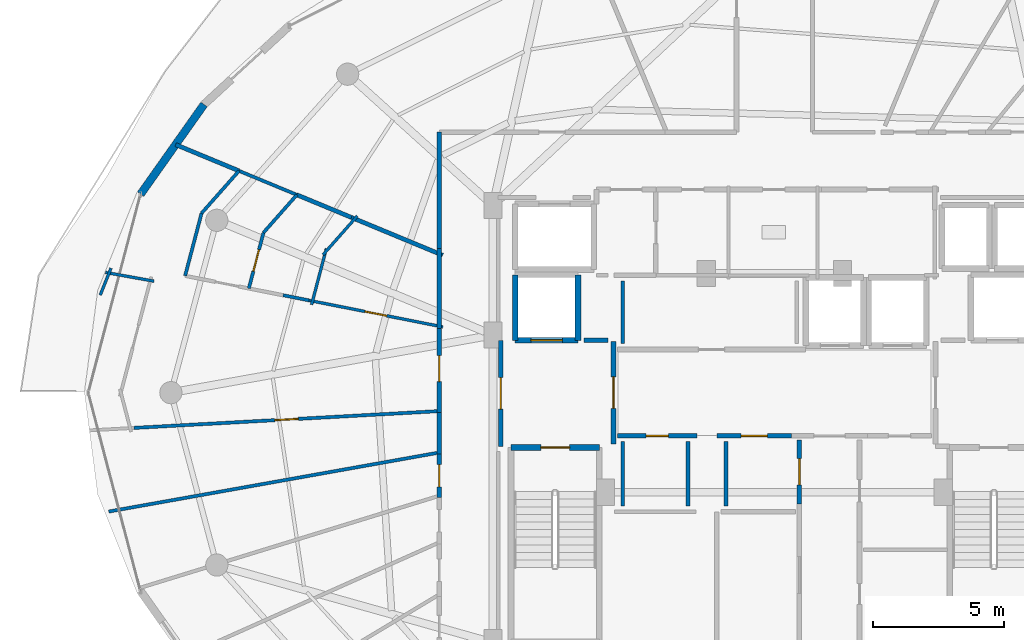
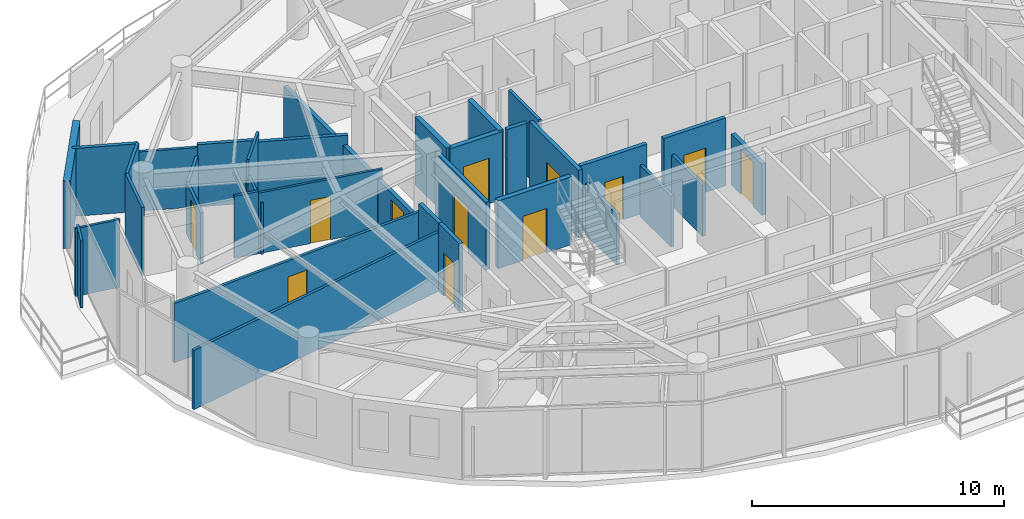
# One storey, part 21 of 29: 36 walls, 12 doors, 12 openings.
"""IFC4 building model written with IfcOpenShell, lengths in metres."""

import ifcopenshell
import ifcopenshell.guid

model = None  # the IFC model being written
_history = None  # IfcOwnerHistory: only IFC2X3 demands one
_inside = {}  # id of a spatial element -> (the spatial element, [elements in it])
_under = {}  # id of a project, library or spatial element -> (it, [spatial elements below it])
_declared = {}  # id of a project -> (the project, [libraries it declares])
_typed = {}  # id of a type object -> (the type object, [elements of that type])
_made_of = {}  # id of a material, layer set ... -> (it, [elements and type objects made of it])


def new_model(schema):
    """Start an empty IFC model of exactly this schema.

    Asked for "IFC4X3", IfcOpenShell would pick the latest addendum, in which some entities
    have other attributes; the version numbers below select the first issue.
    IFC2X3 requires an IfcOwnerHistory on every rooted entity: one is made here for all.
    """
    global model, _history
    if schema == "IFC4X3":
        model = ifcopenshell.file(schema_version=(4, 3, 0, 0))
    else:
        model = ifcopenshell.file(schema=schema)
    _inside.clear()
    _under.clear()
    _declared.clear()
    _typed.clear()
    _made_of.clear()
    _history = None
    if model.schema == "IFC2X3":
        org = make("IfcOrganization", Name="unknown")
        user = make(
            "IfcPersonAndOrganization",
            ThePerson=make("IfcPerson", FamilyName="unknown"),
            TheOrganization=org,
        )
        app = make(
            "IfcApplication",
            ApplicationDeveloper=org,
            Version="unknown",
            ApplicationFullName="unknown",
            ApplicationIdentifier="unknown",
        )
        _history = make(
            "IfcOwnerHistory",
            OwningUser=user,
            OwningApplication=app,
            ChangeAction="ADDED",
            CreationDate=0,
        )
    return model


def make(cls, **values):
    """One entity of the class cls with the attributes given. An attribute that is None is left unset."""
    return model.create_entity(
        cls, **{name: value for name, value in values.items() if value is not None}
    )


def rooted(cls, **values):
    """An entity with a GlobalId (a new one), such as an element, a storey or a relation."""
    return make(cls, GlobalId=ifcopenshell.guid.new(), OwnerHistory=_history, **values)


def si_unit(unit_type, name, prefix=None):
    """IfcSIUnit, for example si_unit("LENGTHUNIT", "METRE", prefix="MILLI")."""
    return make("IfcSIUnit", UnitType=unit_type, Prefix=prefix, Name=name)


def assignment(units):
    """IfcUnitAssignment: the units of a project."""
    return None if units is None else make("IfcUnitAssignment", Units=units)


def point(xyz):
    """IfcCartesianPoint."""
    return None if xyz is None else make("IfcCartesianPoint", Coordinates=xyz)


def direction(xyz):
    """IfcDirection."""
    return None if xyz is None else make("IfcDirection", DirectionRatios=xyz)


def frame(location, z_axis=None, x_axis=None):
    """IfcAxis2Placement3D, a coordinate frame: its origin and axes. An axis left out is left unset."""
    return make(
        "IfcAxis2Placement3D",
        Location=point(location),
        Axis=direction(z_axis),
        RefDirection=direction(x_axis),
    )


def frame_2d(location, x_axis=None):
    """IfcAxis2Placement2D, a coordinate frame in the plane: its origin and x axis."""
    return make(
        "IfcAxis2Placement2D", Location=point(location), RefDirection=direction(x_axis)
    )


def origin():
    """The frame at (0, 0, 0) with its axes left unset."""
    return frame((0.0, 0.0, 0.0))


def place(relative_to, where):
    """IfcLocalPlacement: puts the frame where relative to a parent placement (None: the world)."""
    return make(
        "IfcLocalPlacement", PlacementRelTo=relative_to, RelativePlacement=where
    )


def context(
    kind, dimensions, precision=None, world=None, true_north=None, identifier=None
):
    """IfcGeometricRepresentationContext, for example the 3D "Model" context."""
    return make(
        "IfcGeometricRepresentationContext",
        ContextIdentifier=identifier,
        ContextType=kind,
        CoordinateSpaceDimension=dimensions,
        Precision=precision,
        WorldCoordinateSystem=world,
        TrueNorth=true_north,
    )


def subcontext(parent, identifier, kind, view, scale=None):
    """IfcGeometricRepresentationSubContext, for example "Body" below "Model"."""
    return make(
        "IfcGeometricRepresentationSubContext",
        ContextIdentifier=identifier,
        ContextType=kind,
        ParentContext=parent,
        TargetScale=scale,
        TargetView=view,
    )


def project(units=None, contexts=None):
    """IfcProject with its units and contexts."""
    return rooted(
        "IfcProject",
        Name="project",
        RepresentationContexts=contexts,
        UnitsInContext=assignment(units),
    )


def spatial(cls, under=None, at=None, **own):
    """A site, building, storey or space (cls), placed at a placement, below another one or the project."""
    s = rooted(cls, ObjectPlacement=at, **own)
    if under is not None:
        _under.setdefault(under.id(), (under, []))[1].append(s)
    return s


def profile(cls, at=None, kind="AREA", **sizes):
    """A parametric profile (cls). Its sizes go by their IFC names, for example OverallWidth=200.0."""
    return make(cls, ProfileType=kind, Position=at, **sizes)


def rectangle(**sizes):
    """IfcRectangleProfileDef."""
    return profile("IfcRectangleProfileDef", **sizes)


def extrude(swept, where, along, depth):
    """IfcExtrudedAreaSolid: the profile swept, set in the frame where, extruded along a direction by depth."""
    return make(
        "IfcExtrudedAreaSolid",
        SweptArea=swept,
        Position=where,
        ExtrudedDirection=direction(along),
        Depth=depth,
    )


def shape(context_of_items, identifier, shape_type, items):
    """IfcShapeRepresentation: the items that make up one representation, for example the "Body"."""
    return make(
        "IfcShapeRepresentation",
        ContextOfItems=context_of_items,
        RepresentationIdentifier=identifier,
        RepresentationType=shape_type,
        Items=items,
    )


def material(Name=None, Category=None):
    """IfcMaterial."""
    return make("IfcMaterial", Name=Name, Category=Category)


def layer(
    of_material, thickness, ventilated=None, Name=None, Category=None, Priority=None
):
    """IfcMaterialLayer: one layer of a wall or slab, of a material (None: an air gap)."""
    return make(
        "IfcMaterialLayer",
        Material=of_material,
        LayerThickness=thickness,
        IsVentilated=ventilated,
        Name=Name,
        Category=Category,
        Priority=Priority,
    )


def layer_set(layers, Name=None):
    """IfcMaterialLayerSet."""
    return make("IfcMaterialLayerSet", MaterialLayers=layers, LayerSetName=Name)


def made_of(thing, what):
    """Note that an element or type object is made of a material, layer set ...; save() writes the relation."""
    if what is not None:
        _made_of.setdefault(what.id(), (what, []))[1].append(thing)
    return thing


def type_object(cls, material=None, **own):
    """A type object (cls), such as IfcWallType, which elements share."""
    return made_of(rooted(cls, **own), material)


def element(
    cls,
    number,
    at=None,
    inside=None,
    cuts=None,
    type_object=None,
    material=None,
    context=None,
    identifier="Body",
    shape_type=None,
    held_by="IfcProductDefinitionShape",
    body=None,
    shapes=None,
    **own,
):
    """One element of the class cls, such as IfcWall. Its Tag is "e" and its number.

    at: its placement. inside: the storey or other place that contains it. cuts: it is an
    opening in that element (IfcRelVoidsElement). A single representation is given by context,
    identifier, shape_type and body (its items); several are given by shapes. held_by: the class
    of the entity that holds the representations. save() writes the other relations.
    """
    e = rooted(cls, Tag="e%d" % number, ObjectPlacement=at, **own)
    if body is not None:
        shapes = [shape(context, identifier, shape_type, body)]
    if shapes is not None:
        e.Representation = make(held_by, Representations=shapes)
    if inside is not None:
        _inside.setdefault(inside.id(), (inside, []))[1].append(e)
    if cuts is not None:
        rooted(
            "IfcRelVoidsElement", RelatingBuildingElement=cuts, RelatedOpeningElement=e
        )
    if type_object is not None:
        _typed.setdefault(type_object.id(), (type_object, []))[1].append(e)
    return made_of(e, material)


def fill(opening, filler):
    """IfcRelFillsElement: the door or window that sits in an opening."""
    return rooted(
        "IfcRelFillsElement",
        RelatingOpeningElement=opening,
        RelatedBuildingElement=filler,
    )


def aggregate(whole, parts):
    """IfcRelAggregates: a whole, such as a stair, and the parts it consists of."""
    return rooted("IfcRelAggregates", RelatingObject=whole, RelatedObjects=parts)


def save(model, path):
    """Write the relations noted so far, then the file.

    IfcRelAggregates (storeys below a building ...), IfcRelContainedInSpatialStructure (elements
    in a storey), IfcRelDefinesByType, IfcRelAssociatesMaterial and IfcRelDeclares: one each for
    every whole, place, type object, material and project.
    """
    for whole, parts in _under.values():
        aggregate(whole, parts)
    for where, things in _inside.values():
        rooted(
            "IfcRelContainedInSpatialStructure",
            RelatedElements=things,
            RelatingStructure=where,
        )
    for kind, things in _typed.values():
        rooted("IfcRelDefinesByType", RelatedObjects=things, RelatingType=kind)
    for what, things in _made_of.values():
        rooted("IfcRelAssociatesMaterial", RelatedObjects=things, RelatingMaterial=what)
    for by, libraries in _declared.values():
        rooted("IfcRelDeclares", RelatingContext=by, RelatedDefinitions=libraries)
    model.write(path)


model = new_model("IFC4")

# Units and contexts
model_context = context("Model", 3, precision=1e-05, world=origin(), true_north=direction((0.0, 1.0)))
body_context = subcontext(model_context, "Body", "Model", "MODEL_VIEW")
ifc_project = project(units=[si_unit("LENGTHUNIT", "METRE"), si_unit("AREAUNIT", "SQUARE_METRE"), si_unit("VOLUMEUNIT", "CUBIC_METRE"), si_unit("PLANEANGLEUNIT", "RADIAN"), si_unit("MASSUNIT", "GRAM", prefix="KILO")], contexts=[model_context])

# Site, building, storey
site_placement = place(None, origin())
site = spatial("IfcSite", under=ifc_project, at=site_placement, CompositionType="ELEMENT")
building_placement = place(site_placement, origin())
building = spatial("IfcBuilding", under=site, at=building_placement, Name="Vorneva Point Tower", CompositionType="ELEMENT")
storey_placement = place(building_placement, frame((0.0, 0.0, 255.550048828125)))
storey = spatial("IfcBuildingStorey", under=building, at=storey_placement, Name="L69", CompositionType="ELEMENT", Elevation=255.550048828125)

# Wall, opening, door
ifc_material_1 = material(Name="Concrete B60 (C50/60)", Category="concrete")
ifc_layer_1 = layer(ifc_material_1, 0.35009765625)
ifc_layer_set_1 = layer_set([ifc_layer_1], Name="Concrete B60 (C50/60)")
wall_type_1 = type_object("IfcWallType", Name="WL-CORE-350", PredefinedType="SHEAR", material=ifc_layer_set_1)
wall_1_placement = place(storey_placement, frame((28.10009765625, 28.0, 0.0), z_axis=(0.0, 0.0, 1.0), x_axis=(1.0, 0.0, 0.0)))
wall_1 = element("IfcWall", 1, at=wall_1_placement, inside=storey, type_object=wall_type_1, Name="L69 Lift FFL1 Shaft Wall -Y", PredefinedType="SHEAR", context=body_context, shape_type="SweptSolid", body=[
    extrude(rectangle(XDim=2.39990234375, YDim=0.219970703125, at=frame_2d((1.199951171875, 0.0))), origin(), (0.0, 0.0, 1.0), 3.2900390625),
])
opening_1_placement = place(wall_1_placement, frame((0.60009765625, 0.0, 0.0)))
opening_1 = element("IfcOpeningElement", 2, at=opening_1_placement, cuts=wall_1, Name="Opening LD-02", PredefinedType="OPENING", context=body_context, shape_type="SweptSolid", body=[
    extrude(rectangle(XDim=1.199951171875, YDim=2.199951171875, at=frame_2d((0.60009765625, 1.10009765625))), frame((0.0, 0.125, 0.0), z_axis=(0.0, -1.0, 0.0), x_axis=(1.0, 0.0, 0.0)), (0.0, 0.0, 1.0), 0.249755859375),
])
ifc_material_2 = material(Name="Brushed stainless steel S304", Category="steel")
door_type_1 = type_object("IfcDoorType", Name="LD-FIRE-1200", OperationType="SLIDING_TO_LEFT", PredefinedType="DOOR", material=ifc_material_2)
door_1_placement = place(opening_1_placement, origin())
door_1 = element("IfcDoor", 3, at=door_1_placement, inside=storey, type_object=door_type_1, Name="L69 Lift FFL1 Sliding Landing Door", OperationType="SLIDING_TO_LEFT", OverallHeight=2.199951171875, OverallWidth=1.199951171875, PredefinedType="DOOR", context=body_context, shape_type="SweptSolid", body=[
    extrude(rectangle(XDim=1.199951171875, YDim=2.199951171875, at=frame_2d((0.60009765625, 1.10009765625))), frame((0.0, 0.02490234375, 0.0), z_axis=(0.0, -1.0, 0.0), x_axis=(1.0, 0.0, 0.0)), (0.0, 0.0, 1.0), 0.050048828125),
])
fill(opening_1, door_1)

# Walls
for number, where, z_axis, x_axis, name in (
    (4, (30.5, 28.0, 0.0), (0.0, 0.0, 1.0), (0.0, 1.0, 0.0), "L69 Lift FFL1 Shaft Wall +X"),
    (5, (28.10009765625, 30.5, 0.0), (0.0, 0.0, 1.0), (0.0, -1.0, 0.0), "L69 Lift FFL1 Shaft Wall -X"),
):
    element("IfcWall", number, at=place(storey_placement, frame(where, z_axis=z_axis, x_axis=x_axis)), inside=storey, type_object=wall_type_1, Name=name, PredefinedType="SHEAR", context=body_context, shape_type="SweptSolid", body=[
        extrude(rectangle(XDim=2.5, YDim=0.219970703125, at=frame_2d((1.25, 0.0))), origin(), (0.0, 0.0, 1.0), 3.2900390625),
    ])
ifc_material_3 = material(Name="Precast concrete B50 (C40/50)", Category="concrete")
ifc_layer_2 = layer(ifc_material_3, 0.300048828125)
ifc_layer_set_2 = layer_set([ifc_layer_2], Name="Precast concrete B50 (C40/50)")
wall_type_2 = type_object("IfcWallType", Name="WL-EXT-300", PredefinedType="STANDARD", material=ifc_layer_set_2)
wall_2_placement = place(storey_placement, frame((16.215576171875, 37.005859375, 0.0), z_axis=(0.0, 0.0, 1.0), x_axis=(-0.577261247247, -0.816559521668, 0.0)))
element("IfcWall", 6, at=wall_2_placement, inside=storey, type_object=wall_type_2, Name="L69 Pale-Metal Facade Spandrel Wall 07.2", PredefinedType="STANDARD", context=body_context, shape_type="SweptSolid", body=[
    extrude(rectangle(XDim=4.194091796875, YDim=0.300048828125, at=frame_2d((2.09716796875, 0.0))), origin(), (0.0, 0.0, 1.0), 3.2900390625),
])

# Wall, opening, door
ifc_material_4 = material(Name="Fire-rated acoustic gypsum stud partition", Category="gypsum")
ifc_layer_3 = layer(ifc_material_4, 0.110107421875)
ifc_layer_set_3 = layer_set([ifc_layer_3], Name="Fire-rated acoustic gypsum stud partition")
wall_type_3 = type_object("IfcWallType", Name="WL-PART-110", PredefinedType="PARTITIONING", material=ifc_layer_set_3)
wall_3_placement = place(storey_placement, frame((25.33740234375, 28.5107421875, 0.0), z_axis=(0.0, 0.0, 1.0), x_axis=(-0.980930272027, 0.194359978959, 0.0)))
wall_3 = element("IfcWall", 7, at=wall_3_placement, inside=storey, type_object=wall_type_3, Name="L69 Interior Partition 074", PredefinedType="PARTITIONING", context=body_context, shape_type="SweptSolid", body=[
    extrude(rectangle(XDim=5.214111328125, YDim=0.110107421875, at=frame_2d((2.60693359375, 0.0))), origin(), (0.0, 0.0, 1.0), 2.93603515625),
])
opening_2_placement = place(wall_3_placement, frame((2.181884765625, 0.0, 0.0)))
opening_2 = element("IfcOpeningElement", 8, at=opening_2_placement, cuts=wall_3, Name="Opening ID-02", PredefinedType="OPENING", context=body_context, shape_type="SweptSolid", body=[
    extrude(rectangle(XDim=0.85009765625, YDim=2.10009765625, at=frame_2d((0.425048828125, 1.050048828125))), frame((0.0, 0.06982421875, 0.0), z_axis=(0.0, -1.0, 0.0), x_axis=(1.0, 0.0, 0.0)), (0.0, 0.0, 1.0), 0.139892578125),
])
ifc_material_5 = material(Name="Engineered oak fire-rated door leaf", Category="wood")
door_type_2 = type_object("IfcDoorType", Name="DR-BATH-850", OperationType="NOTDEFINED", PredefinedType="DOOR", material=ifc_material_5)
door_2_placement = place(opening_2_placement, origin())
door_2 = element("IfcDoor", 9, at=door_2_placement, inside=storey, type_object=door_type_2, Name="L69 Door Living and Dining Room L69-01 / Bathroom L69-01", OperationType="SINGLE_SWING_RIGHT", OverallHeight=2.10009765625, OverallWidth=0.85009765625, PredefinedType="DOOR", context=body_context, shape_type="SweptSolid", body=[
    extrude(rectangle(XDim=0.85009765625, YDim=2.10009765625, at=frame_2d((0.425048828125, 1.050048828125))), frame((0.0, 0.02490234375, 0.0), z_axis=(0.0, -1.0, 0.0), x_axis=(1.0, 0.0, 0.0)), (0.0, 0.0, 1.0), 0.050048828125),
])
fill(opening_2, door_2)

# Walls
wall_4_placement = place(storey_placement, frame((12.6630859375, 30.75390625, 0.0), z_axis=(0.0, 0.0, 1.0), x_axis=(-0.372150787983, -0.928172285195, 0.0)))
element("IfcWall", 10, at=wall_4_placement, inside=storey, type_object=wall_type_3, Name="L69 Interior Partition 075", PredefinedType="PARTITIONING", context=body_context, shape_type="SweptSolid", body=[
    extrude(rectangle(XDim=1.107421875, YDim=0.110107421875, at=frame_2d((0.5537109375, 0.0))), origin(), (0.0, 0.0, 1.0), 3.2900390625),
])
wall_5_placement = place(storey_placement, frame((12.4501953125, 30.591796875, 0.0), z_axis=(0.0, 0.0, 1.0), x_axis=(0.984212226867, -0.176992351488, 0.0)))
element("IfcWall", 11, at=wall_5_placement, inside=storey, type_object=wall_type_3, Name="L69 Interior Partition 076", PredefinedType="PARTITIONING", context=body_context, shape_type="SweptSolid", body=[
    extrude(rectangle(XDim=1.88427734375, YDim=0.110107421875, at=frame_2d((0.942138671875, 0.0))), origin(), (0.0, 0.0, 1.0), 3.2900390625),
])
wall_6_placement = place(storey_placement, frame((22.065673828125, 32.743896484375, 0.0), z_axis=(0.0, 0.0, 1.0), x_axis=(-0.662047420969, -0.749461948593, 0.0)))
element("IfcWall", 12, at=wall_6_placement, inside=storey, type_object=wall_type_3, Name="L69 Interior Partition 085", PredefinedType="PARTITIONING", context=body_context, shape_type="SweptSolid", body=[
    extrude(rectangle(XDim=1.9716796875, YDim=0.110107421875, at=frame_2d((0.98583984375, 0.0))), origin(), (0.0, 0.0, 1.0), 3.2900390625),
])
wall_7_placement = place(storey_placement, frame((20.888671875, 31.50634765625, 0.0), z_axis=(0.0, 0.0, 1.0), x_axis=(-0.254406599134, -0.967097348935, 0.0)))
element("IfcWall", 13, at=wall_7_placement, inside=storey, type_object=wall_type_3, Name="L69 Interior Partition 086", PredefinedType="PARTITIONING", context=body_context, shape_type="SweptSolid", body=[
    extrude(rectangle(XDim=2.2177734375, YDim=0.110107421875, at=frame_2d((1.10888671875, 0.0))), origin(), (0.0, 0.0, 1.0), 2.48193359375),
])
ifc_layer_4 = layer(ifc_material_4, 0.125)
ifc_layer_set_4 = layer_set([ifc_layer_4], Name="Fire-rated acoustic gypsum stud partition")
wall_type_4 = type_object("IfcWallType", Name="WL-PART-125", PredefinedType="PARTITIONING", material=ifc_layer_set_4)
wall_8_placement = place(storey_placement, frame((15.493896484375, 30.4619140625, 0.0), z_axis=(0.0, 0.0, 1.0), x_axis=(0.254459276467, 0.967083489995, 0.0)))
element("IfcWall", 14, at=wall_8_placement, inside=storey, type_object=wall_type_4, Name="L69 Interior Partition 071", PredefinedType="PARTITIONING", context=body_context, shape_type="SweptSolid", body=[
    extrude(rectangle(XDim=2.472412109375, YDim=0.125, at=frame_2d((1.236328125, 0.0))), origin(), (0.0, 0.0, 1.0), 3.2900390625),
])
wall_9_placement = place(storey_placement, frame((16.123046875, 32.85302734375, 0.0), z_axis=(0.0, 0.0, 1.0), x_axis=(0.662205183315, 0.749322557508, 0.0)))
element("IfcWall", 15, at=wall_9_placement, inside=storey, type_object=wall_type_4, Name="L69 Interior Partition 072", PredefinedType="PARTITIONING", context=body_context, shape_type="SweptSolid", body=[
    extrude(rectangle(XDim=2.157958984375, YDim=0.125, at=frame_2d((1.0791015625, 0.0))), origin(), (0.0, 0.0, 1.0), 3.2900390625),
])
wall_10_placement = place(storey_placement, frame((17.552001953125, 34.469970703125, 0.0), z_axis=(0.0, 0.0, 1.0), x_axis=(0.923932252837, -0.382556129434, 0.0)))
element("IfcWall", 16, at=wall_10_placement, inside=storey, type_object=wall_type_4, Name="L69 Interior Partition 073", PredefinedType="PARTITIONING", context=body_context, shape_type="SweptSolid", body=[
    extrude(rectangle(XDim=2.391845703125, YDim=0.125, at=frame_2d((1.19580078125, 0.0))), origin(), (0.0, 0.0, 1.0), 2.8740234375),
])
wall_11_placement = place(storey_placement, frame((20.22265625, 29.5244140625, 0.0), z_axis=(0.0, 0.0, 1.0), x_axis=(-0.98086901598, 0.194668881667, 0.0)))
element("IfcWall", 17, at=wall_11_placement, inside=storey, type_object=wall_type_4, Name="L69 Interior Partition 080", PredefinedType="PARTITIONING", context=body_context, shape_type="SweptSolid", body=[
    extrude(rectangle(XDim=1.005859375, YDim=0.125, at=frame_2d((0.5029296875, 0.0))), origin(), (0.0, 0.0, 1.0), 3.02197265625),
])

# Wall, opening, door
wall_12_placement = place(storey_placement, frame((13.535888671875, 24.6533203125, 0.0), z_axis=(0.0, 0.0, 1.0), x_axis=(0.998485968097, 0.055007013313, 0.0)))
wall_12 = element("IfcWall", 18, at=wall_12_placement, inside=storey, type_object=wall_type_4, Name="L69 Interior Partition 081", PredefinedType="PARTITIONING", context=body_context, shape_type="SweptSolid", body=[
    extrude(rectangle(XDim=11.681640625, YDim=0.125, at=frame_2d((5.8408203125, 0.0))), origin(), (0.0, 0.0, 1.0), 2.8740234375),
])
opening_3_placement = place(wall_12_placement, frame((5.390869140625, 0.0, 0.0)))
opening_3 = element("IfcOpeningElement", 19, at=opening_3_placement, cuts=wall_12, Name="Opening ID-01", PredefinedType="OPENING", context=body_context, shape_type="SweptSolid", body=[
    extrude(rectangle(XDim=0.89990234375, YDim=2.10009765625, at=frame_2d((0.449951171875, 1.050048828125))), frame((0.0, 0.077392578125, 0.0), z_axis=(0.0, -1.0, 0.0), x_axis=(1.0, 0.0, 0.0)), (0.0, 0.0, 1.0), 0.15478515625),
])
door_type_3 = type_object("IfcDoorType", Name="DR-ROOM-900", OperationType="NOTDEFINED", PredefinedType="DOOR", material=ifc_material_5)
door_3_placement = place(opening_3_placement, origin())
door_3 = element("IfcDoor", 20, at=door_3_placement, inside=storey, type_object=door_type_3, Name="L69 Door Living and Dining Room L69-01 / Master Bedroom L69-01.1", OperationType="SINGLE_SWING_LEFT", OverallHeight=2.10009765625, OverallWidth=0.89990234375, PredefinedType="DOOR", context=body_context, shape_type="SweptSolid", body=[
    extrude(rectangle(XDim=0.89990234375, YDim=2.10009765625, at=frame_2d((0.449951171875, 1.050048828125))), frame((0.0, 0.02490234375, 0.0), z_axis=(0.0, -1.0, 0.0), x_axis=(1.0, 0.0, 0.0)), (0.0, 0.0, 1.0), 0.050048828125),
])
fill(opening_3, door_3)

wall_13_placement = place(storey_placement, frame((17.927001953125, 29.97998046875, 0.0), z_axis=(0.0, 0.0, 1.0), x_axis=(0.254476946675, 0.967078840432, 0.0)))
wall_13 = element("IfcWall", 21, at=wall_13_placement, inside=storey, type_object=wall_type_4, Name="L69 Interior Partition 083", PredefinedType="PARTITIONING", context=body_context, shape_type="SweptSolid", body=[
    extrude(rectangle(XDim=2.20458984375, YDim=0.125, at=frame_2d((1.102294921875, 0.0))), origin(), (0.0, 0.0, 1.0), 2.48193359375),
])
opening_4_placement = place(wall_13_placement, frame((0.67724609375, 0.0, 0.0)))
opening_4 = element("IfcOpeningElement", 22, at=opening_4_placement, cuts=wall_13, Name="Opening ID-02", PredefinedType="OPENING", context=body_context, shape_type="SweptSolid", body=[
    extrude(rectangle(XDim=0.85009765625, YDim=2.10009765625, at=frame_2d((0.425048828125, 1.050048828125))), frame((0.0, 0.077392578125, 0.0), z_axis=(0.0, -1.0, 0.0), x_axis=(1.0, 0.0, 0.0)), (0.0, 0.0, 1.0), 0.15478515625),
])
door_4_placement = place(opening_4_placement, origin())
door_4 = element("IfcDoor", 23, at=door_4_placement, inside=storey, type_object=door_type_2, Name="L69 Access Door Family Dining Room L69-01", OperationType="SINGLE_SWING_RIGHT", OverallHeight=2.10009765625, OverallWidth=0.85009765625, PredefinedType="DOOR", context=body_context, shape_type="SweptSolid", body=[
    extrude(rectangle(XDim=0.85009765625, YDim=2.10009765625, at=frame_2d((0.425048828125, 1.050048828125))), frame((0.0, 0.02490234375, 0.0), z_axis=(0.0, -1.0, 0.0), x_axis=(1.0, 0.0, 0.0)), (0.0, 0.0, 1.0), 0.050048828125),
])
fill(opening_4, door_4)

# Walls
wall_14_placement = place(storey_placement, frame((18.488037109375, 32.112060546875, 0.0), z_axis=(0.0, 0.0, 1.0), x_axis=(0.661856531983, 0.749630529709, 0.0)))
element("IfcWall", 24, at=wall_14_placement, inside=storey, type_object=wall_type_4, Name="L69 Interior Partition 084", PredefinedType="PARTITIONING", context=body_context, shape_type="SweptSolid", body=[
    extrude(rectangle(XDim=1.9248046875, YDim=0.125, at=frame_2d((0.96240234375, 0.0))), origin(), (0.0, 0.0, 1.0), 2.48193359375),
])
wall_15_placement = place(storey_placement, frame((12.576904296875, 21.4599609375, 0.0), z_axis=(0.0, 0.0, 1.0), x_axis=(0.984427104809, 0.175793274383, 0.0)))
element("IfcWall", 25, at=wall_15_placement, inside=storey, type_object=wall_type_4, Name="L69 Interior Partition 089", PredefinedType="PARTITIONING", context=body_context, shape_type="SweptSolid", body=[
    extrude(rectangle(XDim=12.82275390625, YDim=0.125, at=frame_2d((6.411376953125, 0.0))), origin(), (0.0, 0.0, 1.0), 2.8740234375),
])
ifc_layer_5 = layer(ifc_material_4, 0.139892578125)
ifc_layer_set_5 = layer_set([ifc_layer_5], Name="Fire-rated acoustic gypsum stud partition")
wall_type_5 = type_object("IfcWallType", Name="WL-PART-140", PredefinedType="PARTITIONING", material=ifc_layer_set_5)
wall_16_placement = place(storey_placement, frame((32.199951171875, 30.260009765625, 0.0), z_axis=(0.0, 0.0, 1.0), x_axis=(0.0, -1.0, 0.0)))
element("IfcWall", 26, at=wall_16_placement, inside=storey, type_object=wall_type_5, Name="L69 Interior Closure Partition 148", PredefinedType="PARTITIONING", context=body_context, shape_type="SweptSolid", body=[
    extrude(rectangle(XDim=2.389892578125, YDim=0.139892578125, at=frame_2d((1.19482421875, 0.0))), origin(), (0.0, 0.0, 1.0), 3.2900390625),
])
for number, where, z_axis, x_axis, name in (
    (27, (32.199951171875, 24.1298828125, 0.0), (0.0, 0.0, 1.0), (0.0, -1.0, 0.0), "L69 Interior Closure Partition 150"),
    (28, (34.699951171875, 21.669921875, 0.0), (0.0, 0.0, 1.0), (0.0, 1.0, 0.0), "L69 Interior Closure Partition 151"),
    (29, (36.14990234375, 24.1298828125, 0.0), (0.0, 0.0, 1.0), (0.0, -1.0, 0.0), "L69 Interior Closure Partition 152"),
):
    element("IfcWall", number, at=place(storey_placement, frame(where, z_axis=z_axis, x_axis=x_axis)), inside=storey, type_object=wall_type_5, Name=name, PredefinedType="PARTITIONING", context=body_context, shape_type="SweptSolid", body=[
        extrude(rectangle(XDim=2.4599609375, YDim=0.139892578125, at=frame_2d((1.22998046875, 0.0))), origin(), (0.0, 0.0, 1.0), 2.48193359375),
    ])
ifc_layer_6 = layer(ifc_material_4, 0.159912109375)
ifc_layer_set_6 = layer_set([ifc_layer_6], Name="Fire-rated acoustic gypsum stud partition")
wall_type_6 = type_object("IfcWallType", Name="WL-PART-160", PredefinedType="PARTITIONING", material=ifc_layer_set_6)
wall_17_placement = place(storey_placement, frame((17.552001953125, 34.47021484375, 0.0), z_axis=(0.0, 0.0, 1.0), x_axis=(-0.9239134198, 0.382601610965, 0.0)))
element("IfcWall", 30, at=wall_17_placement, inside=storey, type_object=wall_type_6, Name="L69 Interior Partition 082", PredefinedType="PARTITIONING", context=body_context, shape_type="SweptSolid", body=[
    extrude(rectangle(XDim=2.6181640625, YDim=0.159912109375, at=frame_2d((1.30908203125, 0.0))), origin(), (0.0, 0.0, 1.0), 3.2900390625),
])
wall_18_placement = place(storey_placement, frame((25.329345703125, 31.248291015625, 0.0), z_axis=(0.0, 0.0, 1.0), x_axis=(-0.923827524065, 0.382808967736, 0.0)))
element("IfcWall", 31, at=wall_18_placement, inside=storey, type_object=wall_type_6, Name="L69 Interior Partition 087", PredefinedType="PARTITIONING", context=body_context, shape_type="SweptSolid", body=[
    extrude(rectangle(XDim=3.77294921875, YDim=0.159912109375, at=frame_2d((1.886474609375, 0.0))), origin(), (0.0, 0.0, 1.0), 2.93603515625),
])
wall_19_placement = place(storey_placement, frame((21.84375, 32.692626953125, 0.0), z_axis=(0.0, 0.0, 1.0), x_axis=(-0.92387949598, 0.382683520559, 0.0)))
element("IfcWall", 32, at=wall_19_placement, inside=storey, type_object=wall_type_6, Name="L69 Interior Partition 088", PredefinedType="PARTITIONING", context=body_context, shape_type="SweptSolid", body=[
    extrude(rectangle(XDim=2.25341796875, YDim=0.159912109375, at=frame_2d((1.126708984375, 0.0))), origin(), (0.0, 0.0, 1.0), 3.02197265625),
])

# Wall, opening, door
ifc_material_6 = material(Name="Autoclaved aerated concrete blockwork", Category="masonry")
ifc_layer_7 = layer(ifc_material_6, 0.179931640625)
ifc_layer_set_7 = layer_set([ifc_layer_7], Name="Autoclaved aerated concrete blockwork")
wall_type_7 = type_object("IfcWallType", Name="WL-PART-180", PredefinedType="PARTITIONING", material=ifc_layer_set_7)
wall_20_placement = place(storey_placement, frame((31.85009765625, 24.044921875, 0.0), z_axis=(0.0, 0.0, 1.0), x_axis=(0.0, 1.0, 0.0)))
wall_20 = element("IfcWall", 33, at=wall_20_placement, inside=storey, type_object=wall_type_7, Name="L69 Interior Partition 001", PredefinedType="PARTITIONING", context=body_context, shape_type="SweptSolid", body=[
    extrude(rectangle(XDim=3.91015625, YDim=0.179931640625, at=frame_2d((1.955078125, 0.0))), origin(), (0.0, 0.0, 1.0), 3.2900390625),
])
opening_5_placement = place(wall_20_placement, frame((1.35498046875, 0.0, 0.0)))
opening_5 = element("IfcOpeningElement", 34, at=opening_5_placement, cuts=wall_20, Name="Opening FD-02", PredefinedType="OPENING", context=body_context, shape_type="SweptSolid", body=[
    extrude(rectangle(XDim=1.199951171875, YDim=2.14990234375, at=frame_2d((0.60009765625, 1.074951171875))), frame((0.0, 0.10498046875, 0.0), z_axis=(0.0, -1.0, 0.0), x_axis=(1.0, 0.0, 0.0)), (0.0, 0.0, 1.0), 0.209716796875),
])
ifc_material_7 = material(Name="Fire-rated powder-coated steel", Category="steel")
door_type_4 = type_object("IfcDoorType", Name="DR-FFL-1200", OperationType="NOTDEFINED", PredefinedType="DOOR", material=ifc_material_7)
door_5_placement = place(opening_5_placement, origin())
door_5 = element("IfcDoor", 35, at=door_5_placement, inside=storey, type_object=door_type_4, Name="L69 Door West Firefighting Lobby / Central Lift Lobby", OperationType="SINGLE_SWING_LEFT", OverallHeight=2.14990234375, OverallWidth=1.199951171875, PredefinedType="DOOR", context=body_context, shape_type="SweptSolid", body=[
    extrude(rectangle(XDim=1.199951171875, YDim=2.14990234375, at=frame_2d((0.60009765625, 1.074951171875))), frame((0.0, 0.02490234375, 0.0), z_axis=(0.0, -1.0, 0.0), x_axis=(1.0, 0.0, 0.0)), (0.0, 0.0, 1.0), 0.050048828125),
])
fill(opening_5, door_5)

wall_21_placement = place(storey_placement, frame((27.550048828125, 28.0, 0.0), z_axis=(0.0, 0.0, 1.0), x_axis=(0.0, -1.0, 0.0)))
wall_21 = element("IfcWall", 36, at=wall_21_placement, inside=storey, type_object=wall_type_7, Name="L69 Interior Partition 002", PredefinedType="PARTITIONING", context=body_context, shape_type="SweptSolid", body=[
    extrude(rectangle(XDim=4.050048828125, YDim=0.179931640625, at=frame_2d((2.02490234375, 0.0))), origin(), (0.0, 0.0, 1.0), 3.2900390625),
])
opening_6_placement = place(wall_21_placement, frame((1.425048828125, 0.0, 0.0)))
opening_6 = element("IfcOpeningElement", 37, at=opening_6_placement, cuts=wall_21, Name="Opening FD-02", PredefinedType="OPENING", context=body_context, shape_type="SweptSolid", body=[
    extrude(rectangle(XDim=1.199951171875, YDim=2.14990234375, at=frame_2d((0.60009765625, 1.074951171875))), frame((0.0, 0.10498046875, 0.0), z_axis=(0.0, -1.0, 0.0), x_axis=(1.0, 0.0, 0.0)), (0.0, 0.0, 1.0), 0.209716796875),
])
door_6_placement = place(opening_6_placement, origin())
door_6 = element("IfcDoor", 38, at=door_6_placement, inside=storey, type_object=door_type_4, Name="L69 Door West Firefighting Lobby / L69 Circulation Corridor", OperationType="SINGLE_SWING_RIGHT", OverallHeight=2.14990234375, OverallWidth=1.199951171875, PredefinedType="DOOR", context=body_context, shape_type="SweptSolid", body=[
    extrude(rectangle(XDim=1.199951171875, YDim=2.14990234375, at=frame_2d((0.60009765625, 1.074951171875))), frame((0.0, 0.02490234375, 0.0), z_axis=(0.0, -1.0, 0.0), x_axis=(1.0, 0.0, 0.0)), (0.0, 0.0, 1.0), 0.050048828125),
])
fill(opening_6, door_6)

wall_22_placement = place(storey_placement, frame((32.0, 24.35009765625, 0.0), z_axis=(0.0, 0.0, 1.0), x_axis=(1.0, 0.0, 0.0)))
wall_22 = element("IfcWall", 39, at=wall_22_placement, inside=storey, type_object=wall_type_7, Name="L69 Interior Partition 013", PredefinedType="PARTITIONING", context=body_context, shape_type="SweptSolid", body=[
    extrude(rectangle(XDim=3.0400390625, YDim=0.179931640625, at=frame_2d((1.52001953125, 0.0))), origin(), (0.0, 0.0, 1.0), 3.2900390625),
])
opening_7_placement = place(wall_22_placement, frame((1.094970703125, 0.0, 0.0)))
opening_7 = element("IfcOpeningElement", 40, at=opening_7_placement, cuts=wall_22, Name="Opening ID-02", PredefinedType="OPENING", context=body_context, shape_type="SweptSolid", body=[
    extrude(rectangle(XDim=0.85009765625, YDim=2.10009765625, at=frame_2d((0.425048828125, 1.050048828125))), frame((0.0, 0.10498046875, 0.0), z_axis=(0.0, -1.0, 0.0), x_axis=(1.0, 0.0, 0.0)), (0.0, 0.0, 1.0), 0.209716796875),
])
door_7_placement = place(opening_7_placement, origin())
door_7 = element("IfcDoor", 41, at=door_7_placement, inside=storey, type_object=door_type_2, Name="L69 Door Central Lift Lobby / Reclaimed High-Zone Valet Room", OperationType="SINGLE_SWING_RIGHT", OverallHeight=2.10009765625, OverallWidth=0.85009765625, PredefinedType="DOOR", context=body_context, shape_type="SweptSolid", body=[
    extrude(rectangle(XDim=0.85009765625, YDim=2.10009765625, at=frame_2d((0.425048828125, 1.050048828125))), frame((0.0, 0.02490234375, 0.0), z_axis=(0.0, -1.0, 0.0), x_axis=(1.0, 0.0, 0.0)), (0.0, 0.0, 1.0), 0.050048828125),
])
fill(opening_7, door_7)

wall_23_placement = place(storey_placement, frame((35.81005859375, 24.35009765625, 0.0), z_axis=(0.0, 0.0, 1.0), x_axis=(1.0, 0.0, 0.0)))
wall_23 = element("IfcWall", 42, at=wall_23_placement, inside=storey, type_object=wall_type_7, Name="L69 Interior Partition 014", PredefinedType="PARTITIONING", context=body_context, shape_type="SweptSolid", body=[
    extrude(rectangle(XDim=2.8349609375, YDim=0.179931640625, at=frame_2d((1.41748046875, 0.0))), origin(), (0.0, 0.0, 1.0), 3.2900390625),
])
opening_8_placement = place(wall_23_placement, frame((0.91748046875, 0.0, 0.0)))
opening_8 = element("IfcOpeningElement", 43, at=opening_8_placement, cuts=wall_23, Name="Opening UD-01", PredefinedType="OPENING", context=body_context, shape_type="SweptSolid", body=[
    extrude(rectangle(XDim=1.0, YDim=2.14990234375, at=frame_2d((0.5, 1.074951171875))), frame((0.0, 0.10498046875, 0.0), z_axis=(0.0, -1.0, 0.0), x_axis=(1.0, 0.0, 0.0)), (0.0, 0.0, 1.0), 0.209716796875),
])
door_type_5 = type_object("IfcDoorType", Name="DR-UNIT-1000", OperationType="NOTDEFINED", PredefinedType="DOOR", material=ifc_material_5)
door_8_placement = place(opening_8_placement, origin())
door_8 = element("IfcDoor", 44, at=door_8_placement, inside=storey, type_object=door_type_5, Name="L69 Door Central Lift Lobby / Reclaimed High-Zone Tasting Room", OperationType="SINGLE_SWING_LEFT", OverallHeight=2.14990234375, OverallWidth=1.0, PredefinedType="DOOR", context=body_context, shape_type="SweptSolid", body=[
    extrude(rectangle(XDim=1.0, YDim=2.14990234375, at=frame_2d((0.5, 1.074951171875))), frame((0.0, 0.02490234375, 0.0), z_axis=(0.0, -1.0, 0.0), x_axis=(1.0, 0.0, 0.0)), (0.0, 0.0, 1.0), 0.050048828125),
])
fill(opening_8, door_8)

wall_24_placement = place(storey_placement, frame((38.949951171875, 24.199951171875, 0.0), z_axis=(0.0, 0.0, 1.0), x_axis=(0.0, -1.0, 0.0)))
wall_24 = element("IfcWall", 45, at=wall_24_placement, inside=storey, type_object=wall_type_7, Name="L69 Interior Partition 018", PredefinedType="PARTITIONING", context=body_context, shape_type="SweptSolid", body=[
    extrude(rectangle(XDim=2.445068359375, YDim=0.179931640625, at=frame_2d((1.22265625, 0.0))), origin(), (0.0, 0.0, 1.0), 2.48193359375),
])
opening_9_placement = place(wall_24_placement, frame((0.722412109375, 0.0, 0.0)))
opening_9 = element("IfcOpeningElement", 46, at=opening_9_placement, cuts=wall_24, Name="Opening UD-01", PredefinedType="OPENING", context=body_context, shape_type="SweptSolid", body=[
    extrude(rectangle(XDim=1.0, YDim=2.14990234375, at=frame_2d((0.5, 1.074951171875))), frame((0.0, 0.10498046875, 0.0), z_axis=(0.0, -1.0, 0.0), x_axis=(1.0, 0.0, 0.0)), (0.0, 0.0, 1.0), 0.209716796875),
])
door_9_placement = place(opening_9_placement, origin())
door_9 = element("IfcDoor", 47, at=door_9_placement, inside=storey, type_object=door_type_5, Name="L69 Door Core Service Lobby / Reclaimed High-Zone Tasting Room", OperationType="SINGLE_SWING_LEFT", OverallHeight=2.14990234375, OverallWidth=1.0, PredefinedType="DOOR", context=body_context, shape_type="SweptSolid", body=[
    extrude(rectangle(XDim=1.0, YDim=2.14990234375, at=frame_2d((0.5, 1.074951171875))), frame((0.0, 0.02490234375, 0.0), z_axis=(0.0, -1.0, 0.0), x_axis=(1.0, 0.0, 0.0)), (0.0, 0.0, 1.0), 0.050048828125),
])
fill(opening_9, door_9)

wall_25_placement = place(storey_placement, frame((25.199951171875, 28.59912109375, 0.0), z_axis=(0.0, 0.0, 1.0), x_axis=(0.0, -1.0, 0.0)))
wall_25 = element("IfcWall", 48, at=wall_25_placement, inside=storey, type_object=wall_type_7, Name="L69 Interior Partition 035", PredefinedType="PARTITIONING", context=body_context, shape_type="SweptSolid", body=[
    extrude(rectangle(XDim=3.363037109375, YDim=0.179931640625, at=frame_2d((1.681640625, 0.0))), origin(), (0.0, 0.0, 1.0), 2.48193359375),
])
opening_10_placement = place(wall_25_placement, frame((1.181396484375, 0.0, 0.0)))
opening_10 = element("IfcOpeningElement", 49, at=opening_10_placement, cuts=wall_25, Name="Opening UD-01", PredefinedType="OPENING", context=body_context, shape_type="SweptSolid", body=[
    extrude(rectangle(XDim=1.0, YDim=2.14990234375, at=frame_2d((0.5, 1.074951171875))), frame((0.0, 0.10498046875, 0.0), z_axis=(0.0, -1.0, 0.0), x_axis=(1.0, 0.0, 0.0)), (0.0, 0.0, 1.0), 0.209716796875),
])
door_10_placement = place(opening_10_placement, origin())
door_10 = element("IfcDoor", 50, at=door_10_placement, inside=storey, type_object=door_type_5, Name="L69 Door L69 Circulation Corridor / Living and Dining Room L69-01", OperationType="SINGLE_SWING_LEFT", OverallHeight=2.14990234375, OverallWidth=1.0, PredefinedType="DOOR", context=body_context, shape_type="SweptSolid", body=[
    extrude(rectangle(XDim=1.0, YDim=2.14990234375, at=frame_2d((0.5, 1.074951171875))), frame((0.0, 0.02490234375, 0.0), z_axis=(0.0, -1.0, 0.0), x_axis=(1.0, 0.0, 0.0)), (0.0, 0.0, 1.0), 0.050048828125),
])
fill(opening_10, door_10)

# Walls
wall_26_placement = place(storey_placement, frame((25.199951171875, 31.507080078125, 0.0), z_axis=(0.0, 0.0, 1.0), x_axis=(0.0, -1.0, 0.0)))
element("IfcWall", 51, at=wall_26_placement, inside=storey, type_object=wall_type_7, Name="L69 Interior Partition 036", PredefinedType="PARTITIONING", context=body_context, shape_type="SweptSolid", body=[
    extrude(rectangle(XDim=3.048095703125, YDim=0.179931640625, at=frame_2d((1.52392578125, 0.0))), origin(), (0.0, 0.0, 1.0), 2.48193359375),
])
wall_27_placement = place(storey_placement, frame((25.199951171875, 25.236083984375, 0.0), z_axis=(0.0, 0.0, 1.0), x_axis=(0.0, -1.0, 0.0)))
element("IfcWall", 52, at=wall_27_placement, inside=storey, type_object=wall_type_7, Name="L69 Interior Partition 037", PredefinedType="PARTITIONING", context=body_context, shape_type="SweptSolid", body=[
    extrude(rectangle(XDim=1.5830078125, YDim=0.179931640625, at=frame_2d((0.79150390625, 0.0))), origin(), (0.0, 0.0, 1.0), 3.2900390625),
])

# Wall, opening, door
wall_28_placement = place(storey_placement, frame((25.199951171875, 23.653076171875, 0.0), z_axis=(0.0, 0.0, 1.0), x_axis=(0.0, -1.0, 0.0)))
wall_28 = element("IfcWall", 53, at=wall_28_placement, inside=storey, type_object=wall_type_7, Name="L69 Interior Partition 038", PredefinedType="PARTITIONING", context=body_context, shape_type="SweptSolid", body=[
    extrude(rectangle(XDim=1.654052734375, YDim=0.179931640625, at=frame_2d((0.8271484375, 0.0))), origin(), (0.0, 0.0, 1.0), 3.2900390625),
])
opening_11_placement = place(wall_28_placement, frame((0.402099609375, 0.0, 0.0)))
opening_11 = element("IfcOpeningElement", 54, at=opening_11_placement, cuts=wall_28, Name="Opening ID-02", PredefinedType="OPENING", context=body_context, shape_type="SweptSolid", body=[
    extrude(rectangle(XDim=0.85009765625, YDim=2.10009765625, at=frame_2d((0.425048828125, 1.050048828125))), frame((0.0, 0.10498046875, 0.0), z_axis=(0.0, -1.0, 0.0), x_axis=(1.0, 0.0, 0.0)), (0.0, 0.0, 1.0), 0.209716796875),
])
door_11_placement = place(opening_11_placement, origin())
door_11 = element("IfcDoor", 55, at=door_11_placement, inside=storey, type_object=door_type_2, Name="L69 Access Door L69 Circulation Corridor", OperationType="SINGLE_SWING_RIGHT", OverallHeight=2.10009765625, OverallWidth=0.85009765625, PredefinedType="DOOR", context=body_context, shape_type="SweptSolid", body=[
    extrude(rectangle(XDim=0.85009765625, YDim=2.10009765625, at=frame_2d((0.425048828125, 1.050048828125))), frame((0.0, 0.02490234375, 0.0), z_axis=(0.0, -1.0, 0.0), x_axis=(1.0, 0.0, 0.0)), (0.0, 0.0, 1.0), 0.050048828125),
])
fill(opening_11, door_11)

# Walls
wall_29_placement = place(storey_placement, frame((25.199951171875, 35.949951171875, 0.0), z_axis=(0.0, 0.0, 1.0), x_axis=(0.0, -1.0, 0.0)))
element("IfcWall", 56, at=wall_29_placement, inside=storey, type_object=wall_type_7, Name="L69 Interior Partition 069", PredefinedType="PARTITIONING", context=body_context, shape_type="SweptSolid", body=[
    extrude(rectangle(XDim=4.44287109375, YDim=0.179931640625, at=frame_2d((2.221435546875, 0.0))), origin(), (0.0, 0.0, 1.0), 2.48193359375),
])
wall_30_placement = place(storey_placement, frame((31.635009765625, 28.0, 0.0), z_axis=(0.0, 0.0, 1.0), x_axis=(-1.0, 0.0, 0.0)))
element("IfcWall", 57, at=wall_30_placement, inside=storey, type_object=wall_type_7, Name="L69 Interior Closure Partition 143", PredefinedType="PARTITIONING", context=body_context, shape_type="SweptSolid", body=[
    extrude(rectangle(XDim=0.9150390625, YDim=0.179931640625, at=frame_2d((0.45751953125, 0.0))), origin(), (0.0, 0.0, 1.0), 3.2900390625),
])

# Wall, opening, door
ifc_material_8 = material(Name="Concrete B50 (C40/50)", Category="concrete")
ifc_layer_8 = layer(ifc_material_8, 0.219970703125)
ifc_layer_set_8 = layer_set([ifc_layer_8], Name="Concrete B50 (C40/50)")
wall_type_8 = type_object("IfcWallType", Name="WL-SHFT-220", PredefinedType="SOLIDWALL", material=ifc_layer_set_8)
wall_31_placement = place(storey_placement, frame((27.93994140625, 23.909912109375, 0.0), z_axis=(0.0, 0.0, 1.0), x_axis=(1.0, 0.0, 0.0)))
wall_31 = element("IfcWall", 58, at=wall_31_placement, inside=storey, type_object=wall_type_8, Name="L69 Exit Stair ST1 Shaft Wall near", PredefinedType="SOLIDWALL", context=body_context, shape_type="SweptSolid", body=[
    extrude(rectangle(XDim=3.3701171875, YDim=0.219970703125, at=frame_2d((1.68505859375, 0.0))), origin(), (0.0, 0.0, 1.0), 3.2900390625),
])
opening_12_placement = place(wall_31_placement, frame((1.135009765625, 0.0, 0.0)))
opening_12 = element("IfcOpeningElement", 59, at=opening_12_placement, cuts=wall_31, Name="Opening FD-01", PredefinedType="OPENING", context=body_context, shape_type="SweptSolid", body=[
    extrude(rectangle(XDim=1.10009765625, YDim=2.14990234375, at=frame_2d((0.550048828125, 1.074951171875))), frame((0.0, 0.125, 0.0), z_axis=(0.0, -1.0, 0.0), x_axis=(1.0, 0.0, 0.0)), (0.0, 0.0, 1.0), 0.249755859375),
])
door_type_6 = type_object("IfcDoorType", Name="DR-STAIR-1100", OperationType="NOTDEFINED", PredefinedType="DOOR", material=ifc_material_7)
door_12_placement = place(opening_12_placement, origin())
door_12 = element("IfcDoor", 60, at=door_12_placement, inside=storey, type_object=door_type_6, Name="L69 Exit Stair ST1 Fire Door", OperationType="SINGLE_SWING_LEFT", OverallHeight=2.14990234375, OverallWidth=1.10009765625, PredefinedType="DOOR", context=body_context, shape_type="SweptSolid", body=[
    extrude(rectangle(XDim=1.10009765625, YDim=2.14990234375, at=frame_2d((0.550048828125, 1.074951171875))), frame((0.0, 0.02490234375, 0.0), z_axis=(0.0, -1.0, 0.0), x_axis=(1.0, 0.0, 0.0)), (0.0, 0.0, 1.0), 0.050048828125),
])
fill(opening_12, door_12)

save(model, "model.ifc")
